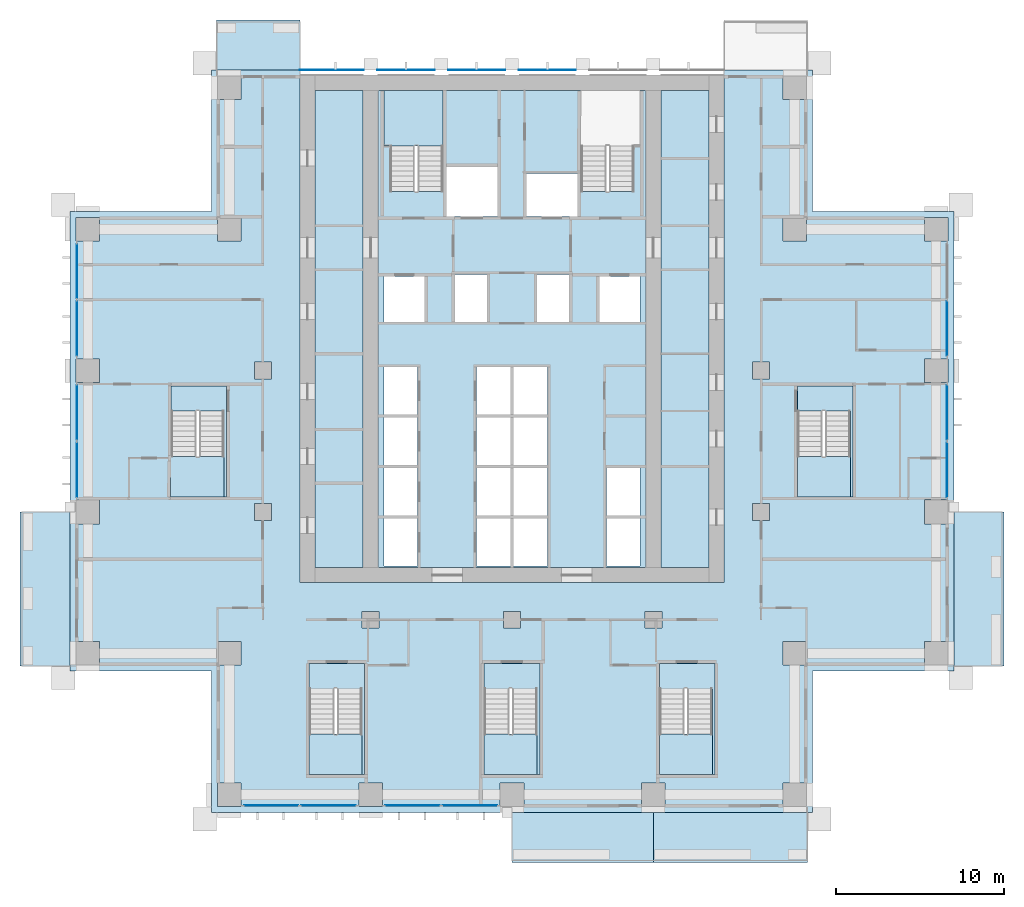
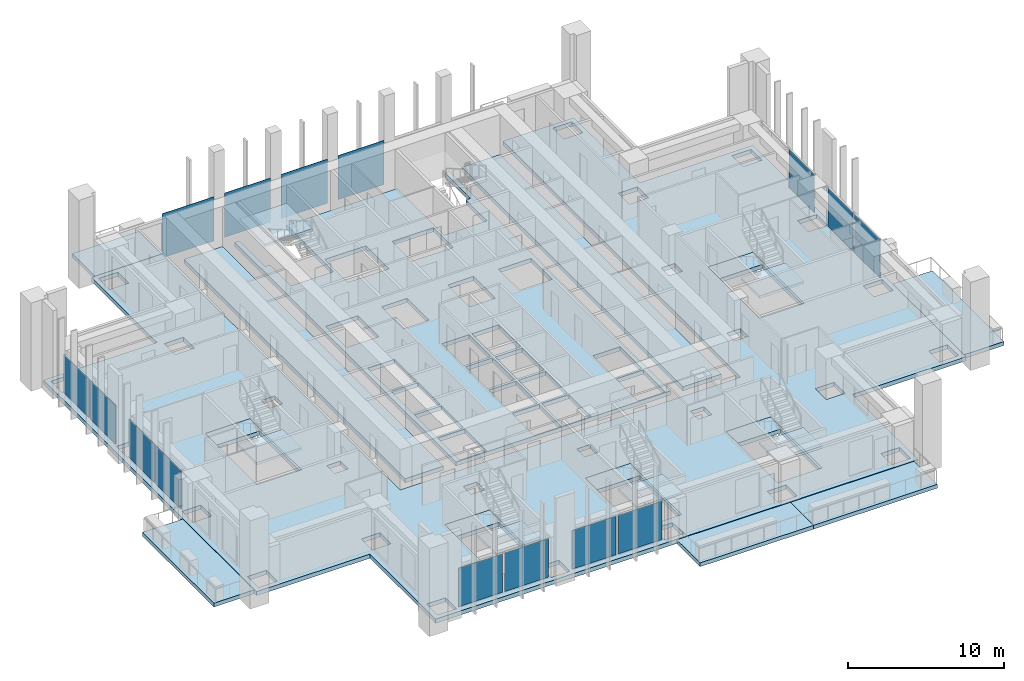
# One storey, part 7 of 19: 20 slabs, 15 plates, 12 elements without a shape of their own.
"""IFC4 building model written with IfcOpenShell, lengths in metres."""

from ifc_helpers import new_model, si_unit, direction, frame, origin, origin_2d, place, context, subcontext, project, spatial, polyline, rectangle, outline, extrude, material, layer, layer_set, type_object, element, aggregate, save


model = new_model("IFC4")

# Units and contexts
model_context = context("Model", 3, precision=1e-05, world=origin(), true_north=direction((0.0, 1.0)))
body_context = subcontext(model_context, "Body", "Model", "MODEL_VIEW")
ifc_project = project(units=[si_unit("LENGTHUNIT", "METRE"), si_unit("AREAUNIT", "SQUARE_METRE"), si_unit("VOLUMEUNIT", "CUBIC_METRE"), si_unit("PLANEANGLEUNIT", "RADIAN"), si_unit("MASSUNIT", "GRAM", prefix="KILO")], contexts=[model_context])

# Site, building, storey
site_placement = place(None, origin())
site = spatial("IfcSite", under=ifc_project, at=site_placement, CompositionType="ELEMENT")
building_placement = place(site_placement, origin())
building = spatial("IfcBuilding", under=site, at=building_placement, Name="Vermilion Ogive Tower", CompositionType="ELEMENT")
storey_placement = place(building_placement, frame((0.0, 0.0, 62.10009765625)))
storey = spatial("IfcBuildingStorey", under=building, at=storey_placement, Name="L14", CompositionType="ELEMENT", Elevation=62.10009765625)

# Slabs
ifc_material_1 = material(Name="Concrete B40", Category="concrete")
ifc_layer_1 = layer(ifc_material_1, 0.300048828125)
ifc_layer_set_1 = layer_set([ifc_layer_1], Name="Balcony slab")
slab_type_1 = type_object("IfcSlabType", Name="Balcony slab", PredefinedType="FLOOR", material=ifc_layer_set_1)
slab_1_placement = place(storey_placement, frame((0.0, 0.0, -0.340087890625)))
element("IfcSlab", 1, at=slab_1_placement, inside=storey, type_object=slab_type_1, Name="Balcony slab S03", PredefinedType="FLOOR", context=body_context, shape_type="SweptSolid", body=[
    extrude(outline(polyline([(0.0, -25.030029296875), (8.39990234375, -25.030029296875), (8.39990234375, -22.050048828125), (0.0, -22.050048828125), (0.0, -25.030029296875)])), origin(), (0.0, 0.0, 1.0), 0.300048828125),
])
slab_2_placement = place(storey_placement, frame((0.0, 0.0, -0.340087890625)))
element("IfcSlab", 2, at=slab_2_placement, inside=storey, type_object=slab_type_1, Name="Balcony slab S04", PredefinedType="FLOOR", context=body_context, shape_type="SweptSolid", body=[
    extrude(outline(polyline([(8.39990234375, -25.030029296875), (17.550048828125, -25.030029296875), (17.550048828125, -22.050048828125), (8.39990234375, -22.050048828125), (8.39990234375, -25.030029296875)])), origin(), (0.0, 0.0, 1.0), 0.300048828125),
])
slab_3_placement = place(storey_placement, frame((0.0, 0.0, -0.340087890625)))
element("IfcSlab", 3, at=slab_3_placement, inside=storey, type_object=slab_type_1, Name="Balcony slab E01", PredefinedType="FLOOR", context=body_context, shape_type="SweptSolid", body=[
    extrude(outline(polyline([(29.22998046875, -13.35009765625), (29.22998046875, -4.199951171875), (26.25, -4.199951171875), (26.25, -13.35009765625), (29.22998046875, -13.35009765625)])), origin(), (0.0, 0.0, 1.0), 0.300048828125),
])
slab_4_placement = place(storey_placement, frame((0.0, 0.0, -0.340087890625)))
element("IfcSlab", 4, at=slab_4_placement, inside=storey, type_object=slab_type_1, Name="Balcony slab N201", PredefinedType="FLOOR", context=body_context, shape_type="SweptSolid", body=[
    extrude(outline(polyline([(-12.60009765625, 25.030029296875), (-17.550048828125, 25.030029296875), (-17.550048828125, 22.050048828125), (-12.60009765625, 22.050048828125), (-12.60009765625, 25.030029296875)])), origin(), (0.0, 0.0, 1.0), 0.300048828125),
])
slab_5_placement = place(storey_placement, frame((0.0, 0.0, -0.340087890625)))
element("IfcSlab", 5, at=slab_5_placement, inside=storey, type_object=slab_type_1, Name="Balcony slab W03", PredefinedType="FLOOR", context=body_context, shape_type="SweptSolid", body=[
    extrude(outline(polyline([(-29.22998046875, -4.199951171875), (-29.22998046875, -13.35009765625), (-26.25, -13.35009765625), (-26.25, -4.199951171875), (-29.22998046875, -4.199951171875)])), origin(), (0.0, 0.0, 1.0), 0.300048828125),
])

# Curtain wall, plates
ifc_material_2 = material(Name="Low-iron laminated glazing in aluminium frame", Category="aluminium")
curtain_wall_type = type_object("IfcCurtainWallType", Name="Curtain wall CW7", PredefinedType="NOTDEFINED", material=ifc_material_2)
curtain_wall_1_placement = place(storey_placement, origin())
curtain_wall_1 = element("IfcCurtainWall", 6, at=curtain_wall_1_placement, inside=storey, type_object=curtain_wall_type, Name="Glazed skin S1", PredefinedType="NOTDEFINED")
ifc_material_3 = material(Name="Low-iron laminated glazing in aluminium frame", Category="aluminium")
ifc_layer_2 = layer(ifc_material_3, 0.031982421875)
ifc_layer_set_2 = layer_set([ifc_layer_2], Name="CW7 glazing panel 32")
plate_type_1 = type_object("IfcPlateType", Name="CW7 glazing panel 32", PredefinedType="CURTAIN_PANEL", material=ifc_layer_set_2)
plate_1_placement = place(storey_placement, frame((-14.304931640625, -21.64990234375, 0.06005859375), z_axis=(0.0, 0.0, 1.0), x_axis=(1.0, 0.0, 0.0)))
plate_1 = element("IfcPlate", 7, at=plate_1_placement, type_object=plate_type_1, Name="CW7-S1 panel 1.1", PredefinedType="CURTAIN_PANEL", context=body_context, shape_type="SweptSolid", body=[
    extrude(rectangle(XDim=3.22998046875, YDim=0.031982421875, at=origin_2d()), origin(), (0.0, 0.0, 1.0), 3.010009765625),
])
plate_2_placement = place(storey_placement, frame((-10.89501953125, -21.64990234375, 0.06005859375), z_axis=(0.0, 0.0, 1.0), x_axis=(1.0, 0.0, 0.0)))
plate_2 = element("IfcPlate", 8, at=plate_2_placement, type_object=plate_type_1, Name="CW7-S1 panel 2.1", PredefinedType="CURTAIN_PANEL", context=body_context, shape_type="SweptSolid", body=[
    extrude(rectangle(XDim=3.22998046875, YDim=0.031982421875, at=origin_2d()), origin(), (0.0, 0.0, 1.0), 3.010009765625),
])
aggregate(curtain_wall_1, [plate_1, plate_2])

curtain_wall_2_placement = place(storey_placement, origin())
curtain_wall_2 = element("IfcCurtainWall", 9, at=curtain_wall_2_placement, inside=storey, type_object=curtain_wall_type, Name="Glazed skin S2", PredefinedType="NOTDEFINED")
plate_3_placement = place(storey_placement, frame((-5.905029296875, -21.64990234375, 0.06005859375), z_axis=(0.0, 0.0, 1.0), x_axis=(1.0, 0.0, 0.0)))
plate_3 = element("IfcPlate", 10, at=plate_3_placement, type_object=plate_type_1, Name="CW7-S2 panel 1.1", PredefinedType="CURTAIN_PANEL", context=body_context, shape_type="SweptSolid", body=[
    extrude(rectangle(XDim=3.22998046875, YDim=0.031982421875, at=origin_2d()), origin(), (0.0, 0.0, 1.0), 3.010009765625),
])
plate_4_placement = place(storey_placement, frame((-2.4951171875, -21.64990234375, 0.06005859375), z_axis=(0.0, 0.0, 1.0), x_axis=(1.0, 0.0, 0.0)))
plate_4 = element("IfcPlate", 11, at=plate_4_placement, type_object=plate_type_1, Name="CW7-S2 panel 2.1", PredefinedType="CURTAIN_PANEL", context=body_context, shape_type="SweptSolid", body=[
    extrude(rectangle(XDim=3.22998046875, YDim=0.031982421875, at=origin_2d()), origin(), (0.0, 0.0, 1.0), 3.010009765625),
])
aggregate(curtain_wall_2, [plate_3, plate_4])

curtain_wall_3_placement = place(storey_placement, origin())
curtain_wall_3 = element("IfcCurtainWall", 12, at=curtain_wall_3_placement, inside=storey, type_object=curtain_wall_type, Name="Glazed skin E2", PredefinedType="NOTDEFINED")
plate_5_placement = place(storey_placement, frame((25.85009765625, -1.705078125, 0.06005859375), z_axis=(0.0, 0.0, 1.0), x_axis=(0.0, 1.0, 0.0)))
plate_5 = element("IfcPlate", 13, at=plate_5_placement, type_object=plate_type_1, Name="CW7-E2 panel 1.1", PredefinedType="CURTAIN_PANEL", context=body_context, shape_type="SweptSolid", body=[
    extrude(rectangle(XDim=3.22998046875, YDim=0.031982421875, at=origin_2d()), origin(), (0.0, 0.0, 1.0), 3.010009765625),
])
plate_6_placement = place(storey_placement, frame((25.85009765625, 1.705078125, 0.06005859375), z_axis=(0.0, 0.0, 1.0), x_axis=(0.0, 1.0, 0.0)))
plate_6 = element("IfcPlate", 14, at=plate_6_placement, type_object=plate_type_1, Name="CW7-E2 panel 2.1", PredefinedType="CURTAIN_PANEL", context=body_context, shape_type="SweptSolid", body=[
    extrude(rectangle(XDim=3.22998046875, YDim=0.031982421875, at=origin_2d()), origin(), (0.0, 0.0, 1.0), 3.010009765625),
])
aggregate(curtain_wall_3, [plate_5, plate_6])

# Curtain wall, plate
curtain_wall_4_placement = place(storey_placement, origin())
curtain_wall_4 = element("IfcCurtainWall", 15, at=curtain_wall_4_placement, inside=storey, type_object=curtain_wall_type, Name="Glazed skin E3", PredefinedType="NOTDEFINED")
plate_7_placement = place(storey_placement, frame((25.85009765625, 6.695068359375, 0.06005859375), z_axis=(0.0, 0.0, 1.0), x_axis=(0.0, 1.0, 0.0)))
plate_7 = element("IfcPlate", 16, at=plate_7_placement, type_object=plate_type_1, Name="CW7-E3 panel 1.1", PredefinedType="CURTAIN_PANEL", context=body_context, shape_type="SweptSolid", body=[
    extrude(rectangle(XDim=3.22998046875, YDim=0.031982421875, at=origin_2d()), origin(), (0.0, 0.0, 1.0), 3.010009765625),
])
aggregate(curtain_wall_4, [plate_7])

# Curtain wall, plates
curtain_wall_5_placement = place(storey_placement, origin())
curtain_wall_5 = element("IfcCurtainWall", 17, at=curtain_wall_5_placement, inside=storey, type_object=curtain_wall_type, Name="Glazed skin W1", PredefinedType="NOTDEFINED")
plate_8_placement = place(storey_placement, frame((-25.85009765625, 10.10498046875, 0.06005859375), z_axis=(0.0, 0.0, 1.0), x_axis=(0.0, -1.0, 0.0)))
plate_8 = element("IfcPlate", 18, at=plate_8_placement, type_object=plate_type_1, Name="CW7-W1 panel 1.1", PredefinedType="CURTAIN_PANEL", context=body_context, shape_type="SweptSolid", body=[
    extrude(rectangle(XDim=3.22998046875, YDim=0.031982421875, at=origin_2d()), origin(), (0.0, 0.0, 1.0), 3.010009765625),
])
plate_9_placement = place(storey_placement, frame((-25.85009765625, 6.695068359375, 0.06005859375), z_axis=(0.0, 0.0, 1.0), x_axis=(0.0, -1.0, 0.0)))
plate_9 = element("IfcPlate", 19, at=plate_9_placement, type_object=plate_type_1, Name="CW7-W1 panel 2.1", PredefinedType="CURTAIN_PANEL", context=body_context, shape_type="SweptSolid", body=[
    extrude(rectangle(XDim=3.22998046875, YDim=0.031982421875, at=origin_2d()), origin(), (0.0, 0.0, 1.0), 3.010009765625),
])
aggregate(curtain_wall_5, [plate_8, plate_9])

curtain_wall_6_placement = place(storey_placement, origin())
curtain_wall_6 = element("IfcCurtainWall", 20, at=curtain_wall_6_placement, inside=storey, type_object=curtain_wall_type, Name="Glazed skin W2", PredefinedType="NOTDEFINED")
plate_10_placement = place(storey_placement, frame((-25.85009765625, 1.705078125, 0.06005859375), z_axis=(0.0, 0.0, 1.0), x_axis=(0.0, -1.0, 0.0)))
plate_10 = element("IfcPlate", 21, at=plate_10_placement, type_object=plate_type_1, Name="CW7-W2 panel 1.1", PredefinedType="CURTAIN_PANEL", context=body_context, shape_type="SweptSolid", body=[
    extrude(rectangle(XDim=3.22998046875, YDim=0.031982421875, at=origin_2d()), origin(), (0.0, 0.0, 1.0), 3.010009765625),
])
plate_11_placement = place(storey_placement, frame((-25.85009765625, -1.705078125, 0.06005859375), z_axis=(0.0, 0.0, 1.0), x_axis=(0.0, -1.0, 0.0)))
plate_11 = element("IfcPlate", 22, at=plate_11_placement, type_object=plate_type_1, Name="CW7-W2 panel 2.1", PredefinedType="CURTAIN_PANEL", context=body_context, shape_type="SweptSolid", body=[
    extrude(rectangle(XDim=3.22998046875, YDim=0.031982421875, at=origin_2d()), origin(), (0.0, 0.0, 1.0), 3.010009765625),
])
aggregate(curtain_wall_6, [plate_10, plate_11])

# Slabs
ifc_material_4 = material(Name="Concrete B40", Category="concrete")
ifc_layer_3 = layer(ifc_material_4, 0.320068359375)
ifc_layer_set_3 = layer_set([ifc_layer_3], Name="Core floor slab 320 B40")
slab_type_2 = type_object("IfcSlabType", Name="Core floor slab 320 B40", PredefinedType="FLOOR", material=ifc_layer_set_3)
slab_6_placement = place(storey_placement, frame((0.0, 0.0, -0.320068359375)))
element("IfcSlab", 23, at=slab_6_placement, inside=storey, type_object=slab_type_2, Name="L14-CK-FS1", PredefinedType="FLOOR", context=body_context, shape_type="SweptSolid", body=[
    extrude(outline(polyline([(-8.85400390625, -7.49609375), (-11.696044921875, -7.49609375), (-11.696044921875, 20.845947265625), (-8.85400390625, 20.845947265625), (-8.85400390625, -7.49609375)])), origin(), (0.0, 0.0, 1.0), 0.320068359375),
])
slab_7_placement = place(storey_placement, frame((0.0, 0.0, -0.320068359375)))
element("IfcSlab", 24, at=slab_7_placement, inside=storey, type_object=slab_type_2, Name="L14-CK-FS2", PredefinedType="FLOOR", context=body_context, shape_type="SweptSolid", body=[
    extrude(outline(polyline([(5.75, 14.85009765625), (5.60009765625, 14.85009765625), (5.60009765625, 14.85205078125), (4.10009765625, 14.85205078125), (4.10009765625, 17.550048828125), (4.074951171875, 17.550048828125), (4.074951171875, 20.845947265625), (-4.10009765625, 20.845947265625), (-4.10009765625, 14.85205078125), (-5.60009765625, 14.85205078125), (-5.60009765625, 14.85009765625), (-5.75, 14.85009765625), (-5.75, 14.85205078125), (-7.25, 14.85205078125), (-7.25, 17.550048828125), (-7.60009765625, 17.550048828125), (-7.60009765625, 20.845947265625), (-7.946044921875, 20.845947265625), (-7.946044921875, -7.49609375), (7.946044921875, -7.49609375), (7.946044921875, 20.845947265625), (7.60009765625, 20.845947265625), (7.60009765625, 17.550048828125), (7.25, 17.550048828125), (7.25, 14.85205078125), (5.75, 14.85205078125), (5.75, 14.85009765625)]), holes=[polyline([(-7.60009765625, -4.60009765625), (-5.60009765625, -4.60009765625), (-5.60009765625, -7.39990234375), (-7.60009765625, -7.39990234375), (-7.60009765625, -4.60009765625)]), polyline([(-2.10009765625, -4.60009765625), (-0.10009765625, -4.60009765625), (-0.10009765625, -7.39990234375), (-2.10009765625, -7.39990234375), (-2.10009765625, -4.60009765625)]), polyline([(-7.60009765625, -4.39990234375), (-7.60009765625, -1.60009765625), (-5.60009765625, -1.60009765625), (-5.60009765625, -4.39990234375), (-7.60009765625, -4.39990234375)]), polyline([(-2.10009765625, -1.60009765625), (-0.10009765625, -1.60009765625), (-0.10009765625, -4.39990234375), (-2.10009765625, -4.39990234375), (-2.10009765625, -1.60009765625)]), polyline([(-7.60009765625, -1.39990234375), (-7.60009765625, 1.39990234375), (-5.60009765625, 1.39990234375), (-5.60009765625, -1.39990234375), (-7.60009765625, -1.39990234375)]), polyline([(-2.10009765625, 1.39990234375), (-0.10009765625, 1.39990234375), (-0.10009765625, -1.39990234375), (-2.10009765625, -1.39990234375), (-2.10009765625, 1.39990234375)]), polyline([(-7.60009765625, 4.39990234375), (-5.60009765625, 4.39990234375), (-5.60009765625, 1.60009765625), (-7.60009765625, 1.60009765625), (-7.60009765625, 4.39990234375)]), polyline([(-2.10009765625, 4.39990234375), (-0.10009765625, 4.39990234375), (-0.10009765625, 1.60009765625), (-2.10009765625, 1.60009765625), (-2.10009765625, 4.39990234375)]), polyline([(-7.60009765625, 9.800048828125), (-5.199951171875, 9.800048828125), (-5.199951171875, 7.10009765625), (-7.60009765625, 7.10009765625), (-7.60009765625, 9.800048828125)]), polyline([(-3.39990234375, 9.89990234375), (-1.5, 9.89990234375), (-1.5, 7.10009765625), (-3.39990234375, 7.10009765625), (-3.39990234375, 9.89990234375)]), polyline([(-3.89990234375, 16.300048828125), (-0.85009765625, 16.300048828125), (-0.85009765625, 13.35009765625), (-3.89990234375, 13.35009765625), (-3.89990234375, 16.300048828125)]), polyline([(0.10009765625, -4.60009765625), (2.10009765625, -4.60009765625), (2.10009765625, -7.39990234375), (0.10009765625, -7.39990234375), (0.10009765625, -4.60009765625)]), polyline([(5.60009765625, -4.60009765625), (7.60009765625, -4.60009765625), (7.60009765625, -7.39990234375), (5.60009765625, -7.39990234375), (5.60009765625, -4.60009765625)]), polyline([(0.10009765625, -1.60009765625), (2.10009765625, -1.60009765625), (2.10009765625, -4.39990234375), (0.10009765625, -4.39990234375), (0.10009765625, -1.60009765625)]), polyline([(5.60009765625, -1.60009765625), (7.60009765625, -1.60009765625), (7.60009765625, -4.39990234375), (5.60009765625, -4.39990234375), (5.60009765625, -1.60009765625)]), polyline([(0.10009765625, 1.39990234375), (2.10009765625, 1.39990234375), (2.10009765625, -1.39990234375), (0.10009765625, -1.39990234375), (0.10009765625, 1.39990234375)]), polyline([(0.10009765625, 4.39990234375), (2.10009765625, 4.39990234375), (2.10009765625, 1.60009765625), (0.10009765625, 1.60009765625), (0.10009765625, 4.39990234375)]), polyline([(5.199951171875, 9.800048828125), (7.60009765625, 9.800048828125), (7.60009765625, 7.10009765625), (5.199951171875, 7.10009765625), (5.199951171875, 9.800048828125)]), polyline([(1.5, 9.89990234375), (3.39990234375, 9.89990234375), (3.39990234375, 7.10009765625), (1.5, 7.10009765625), (1.5, 9.89990234375)]), polyline([(0.85009765625, 15.89990234375), (3.89990234375, 15.89990234375), (3.89990234375, 13.35009765625), (0.85009765625, 13.35009765625), (0.85009765625, 15.89990234375)])]), origin(), (0.0, 0.0, 1.0), 0.320068359375),
])
slab_8_placement = place(storey_placement, frame((0.0, 0.0, -0.320068359375)))
element("IfcSlab", 25, at=slab_8_placement, inside=storey, type_object=slab_type_2, Name="L14-CK-FS3", PredefinedType="FLOOR", context=body_context, shape_type="SweptSolid", body=[
    extrude(outline(polyline([(8.85400390625, 20.845947265625), (11.696044921875, 20.845947265625), (11.696044921875, -7.49609375), (8.85400390625, -7.49609375), (8.85400390625, 20.845947265625)])), origin(), (0.0, 0.0, 1.0), 0.320068359375),
])
slab_9_placement = place(storey_placement, frame((0.0, 0.0, -0.320068359375)))
element("IfcSlab", 26, at=slab_9_placement, inside=storey, type_object=slab_type_2, Name="L14-SF-ST3-1", PredefinedType="FLOOR", context=body_context, shape_type="SweptSolid", body=[
    extrude(outline(polyline([(-12.050048828125, -13.199951171875), (-12.050048828125, -14.701904296875), (-10.550048828125, -14.701904296875), (-10.550048828125, -14.699951171875), (-10.39990234375, -14.699951171875), (-10.39990234375, -14.701904296875), (-8.89990234375, -14.701904296875), (-8.89990234375, -19.800048828125), (-8.75, -19.800048828125), (-8.75, -13.199951171875), (-12.050048828125, -13.199951171875)])), origin(), (0.0, 0.0, 1.0), 0.320068359375),
])
slab_10_placement = place(storey_placement, frame((0.0, 0.0, -0.320068359375)))
element("IfcSlab", 27, at=slab_10_placement, inside=storey, type_object=slab_type_2, Name="L14-SF-ST4-1", PredefinedType="FLOOR", context=body_context, shape_type="SweptSolid", body=[
    extrude(outline(polyline([(-1.64990234375, -13.199951171875), (-1.64990234375, -14.701904296875), (-0.14990234375, -14.701904296875), (-0.14990234375, -14.699951171875), (0.0, -14.699951171875), (0.0, -14.701904296875), (1.5, -14.701904296875), (1.5, -19.800048828125), (1.64990234375, -19.800048828125), (1.64990234375, -13.199951171875), (-1.64990234375, -13.199951171875)])), origin(), (0.0, 0.0, 1.0), 0.320068359375),
])
slab_11_placement = place(storey_placement, frame((0.0, 0.0, -0.320068359375)))
element("IfcSlab", 28, at=slab_11_placement, inside=storey, type_object=slab_type_2, Name="L14-SF-ST5-1", PredefinedType="FLOOR", context=body_context, shape_type="SweptSolid", body=[
    extrude(outline(polyline([(8.75, -13.199951171875), (8.75, -14.701904296875), (10.25, -14.701904296875), (10.25, -14.699951171875), (10.39990234375, -14.699951171875), (10.39990234375, -14.701904296875), (11.89990234375, -14.701904296875), (11.89990234375, -19.800048828125), (12.050048828125, -19.800048828125), (12.050048828125, -13.199951171875), (8.75, -13.199951171875)])), origin(), (0.0, 0.0, 1.0), 0.320068359375),
])
slab_12_placement = place(storey_placement, frame((0.0, 0.0, -0.320068359375)))
element("IfcSlab", 29, at=slab_12_placement, inside=storey, type_object=slab_type_2, Name="L14-SF-ST8-1", PredefinedType="FLOOR", context=body_context, shape_type="SweptSolid", body=[
    extrude(outline(polyline([(16.949951171875, 3.300048828125), (16.949951171875, 1.798095703125), (18.449951171875, 1.798095703125), (18.449951171875, 1.800048828125), (18.60009765625, 1.800048828125), (18.60009765625, 1.798095703125), (20.10009765625, 1.798095703125), (20.10009765625, -3.300048828125), (20.25, -3.300048828125), (20.25, 3.300048828125), (16.949951171875, 3.300048828125)])), origin(), (0.0, 0.0, 1.0), 0.320068359375),
])
slab_13_placement = place(storey_placement, frame((0.0, 0.0, -0.320068359375)))
element("IfcSlab", 30, at=slab_13_placement, inside=storey, type_object=slab_type_2, Name="L14-SF-ST9-1", PredefinedType="FLOOR", context=body_context, shape_type="SweptSolid", body=[
    extrude(outline(polyline([(-20.25, 3.300048828125), (-20.25, 1.798095703125), (-18.75, 1.798095703125), (-18.75, 1.800048828125), (-18.60009765625, 1.800048828125), (-18.60009765625, 1.798095703125), (-17.10009765625, 1.798095703125), (-17.10009765625, -3.300048828125), (-16.949951171875, -3.300048828125), (-16.949951171875, 3.300048828125), (-20.25, 3.300048828125)])), origin(), (0.0, 0.0, 1.0), 0.320068359375),
])

# Plates
ifc_material_5 = material(Name="Low-iron laminated glazing in aluminium frame", Category="aluminium")
ifc_layer_4 = layer(ifc_material_5, 0.031982421875)
ifc_layer_set_4 = layer_set([ifc_layer_4], Name="Glazed rainscreen sheet 32")
plate_type_2 = type_object("IfcPlateType", Name="Glazed rainscreen sheet 32", PredefinedType="SHEET", material=ifc_layer_set_4)
plate_12_placement = place(storey_placement, frame((-10.7099609375, 22.06591796875, -0.3203125), z_axis=(0.0, 0.0, 1.0), x_axis=(1.0, 0.0, 0.0)))
element("IfcPlate", 31, at=plate_12_placement, inside=storey, type_object=plate_type_2, Name="Glazed rainscreen sheet N1", PredefinedType="SHEET", context=body_context, shape_type="SweptSolid", body=[
    extrude(rectangle(XDim=3.820068359375, YDim=0.031982421875, at=origin_2d()), origin(), (0.0, 0.0, 1.0), 3.449951171875),
])
for number, where, z_axis, x_axis, name in (
    (32, (-6.300048828125, 22.06591796875, -0.3203125), (0.0, 0.0, 1.0), (1.0, 0.0, 0.0), "Glazed rainscreen sheet N2"),
    (33, (-2.10009765625, 22.06591796875, -0.3203125), (0.0, 0.0, 1.0), (1.0, 0.0, 0.0), "Glazed rainscreen sheet N3"),
    (34, (2.10009765625, 22.06591796875, -0.3203125), (0.0, 0.0, 1.0), (1.0, 0.0, 0.0), "Glazed rainscreen sheet N4"),
):
    element("IfcPlate", number, at=place(storey_placement, frame(where, z_axis=z_axis, x_axis=x_axis)), inside=storey, type_object=plate_type_2, Name=name, PredefinedType="SHEET", context=body_context, shape_type="SweptSolid", body=[
        extrude(rectangle(XDim=3.39990234375, YDim=0.031982421875, at=origin_2d()), origin(), (0.0, 0.0, 1.0), 3.449951171875),
    ])

# Slab
ifc_material_6 = material(Name="Concrete B45", Category="concrete")
ifc_layer_5 = layer(ifc_material_6, 0.320068359375)
ifc_layer_set_5 = layer_set([ifc_layer_5], Name="Post-tensioned flat plate 320 B45")
slab_type_3 = type_object("IfcSlabType", Name="Post-tensioned flat plate 320 B45", PredefinedType="FLOOR", material=ifc_layer_set_5)
slab_14_placement = place(storey_placement, frame((0.0, 0.0, -0.320068359375)))
element("IfcSlab", 35, at=slab_14_placement, inside=storey, type_object=slab_type_3, Name="L14-SL-1", PredefinedType="FLOOR", context=body_context, shape_type="SweptSolid", body=[
    extrude(outline(polyline([(-17.85009765625, -13.64990234375), (-26.25, -13.64990234375), (-26.25, 13.64990234375), (-17.85009765625, 13.64990234375), (-17.85009765625, 22.050048828125), (-12.60009765625, 22.050048828125), (-12.60009765625, -8.39990234375), (12.60009765625, -8.39990234375), (12.60009765625, 22.050048828125), (17.85009765625, 22.050048828125), (17.85009765625, 13.64990234375), (26.25, 13.64990234375), (26.25, -13.64990234375), (17.85009765625, -13.64990234375), (17.85009765625, -22.050048828125), (-17.85009765625, -22.050048828125), (-17.85009765625, -13.64990234375)]), holes=[polyline([(25.89990234375, -4.89990234375), (25.89990234375, -3.5), (24.5, -3.5), (24.5, -4.89990234375), (25.89990234375, -4.89990234375)]), polyline([(25.89990234375, -13.300048828125), (25.89990234375, -11.89990234375), (24.5, -11.89990234375), (24.5, -13.300048828125), (25.89990234375, -13.300048828125)]), polyline([(24.5, 11.89990234375), (25.89990234375, 11.89990234375), (25.89990234375, 13.300048828125), (24.5, 13.300048828125), (24.5, 11.89990234375)]), polyline([(24.5, 3.5), (25.89990234375, 3.5), (25.89990234375, 4.89990234375), (24.5, 4.89990234375), (24.5, 3.5)]), polyline([(20.25, -3.300048828125), (20.25, 3.300048828125), (16.949951171875, 3.300048828125), (16.949951171875, -3.300048828125), (20.25, -3.300048828125)]), polyline([(17.5, -13.300048828125), (17.5, -11.89990234375), (16.10009765625, -11.89990234375), (16.10009765625, -13.300048828125), (17.5, -13.300048828125)]), polyline([(16.10009765625, 20.300048828125), (17.5, 20.300048828125), (17.5, 21.699951171875), (16.10009765625, 21.699951171875), (16.10009765625, 20.300048828125)]), polyline([(17.5, -21.699951171875), (17.5, -20.300048828125), (16.10009765625, -20.300048828125), (16.10009765625, -21.699951171875), (17.5, -21.699951171875)]), polyline([(17.5, 11.89990234375), (17.5, 13.300048828125), (16.10009765625, 13.300048828125), (16.10009765625, 11.89990234375), (17.5, 11.89990234375)]), polyline([(15.300048828125, 3.699951171875), (15.300048828125, 4.699951171875), (14.300048828125, 4.699951171875), (14.300048828125, 3.699951171875), (15.300048828125, 3.699951171875)]), polyline([(14.300048828125, -4.699951171875), (15.300048828125, -4.699951171875), (15.300048828125, -3.699951171875), (14.300048828125, -3.699951171875), (14.300048828125, -4.699951171875)]), polyline([(12.050048828125, -19.800048828125), (12.050048828125, -13.199951171875), (8.75, -13.199951171875), (8.75, -19.800048828125), (12.050048828125, -19.800048828125)]), polyline([(9.10009765625, -21.699951171875), (9.10009765625, -20.300048828125), (7.699951171875, -20.300048828125), (7.699951171875, -21.699951171875), (9.10009765625, -21.699951171875)]), polyline([(7.89990234375, -11.10009765625), (8.89990234375, -11.10009765625), (8.89990234375, -10.10009765625), (7.89990234375, -10.10009765625), (7.89990234375, -11.10009765625)]), polyline([(1.64990234375, -19.800048828125), (1.64990234375, -13.199951171875), (-1.64990234375, -13.199951171875), (-1.64990234375, -19.800048828125), (1.64990234375, -19.800048828125)]), polyline([(0.699951171875, -21.699951171875), (0.699951171875, -20.300048828125), (-0.699951171875, -20.300048828125), (-0.699951171875, -21.699951171875), (0.699951171875, -21.699951171875)]), polyline([(0.5, -11.10009765625), (0.5, -10.10009765625), (-0.5, -10.10009765625), (-0.5, -11.10009765625), (0.5, -11.10009765625)]), polyline([(-7.699951171875, -21.699951171875), (-7.699951171875, -20.300048828125), (-9.10009765625, -20.300048828125), (-9.10009765625, -21.699951171875), (-7.699951171875, -21.699951171875)]), polyline([(-7.89990234375, -11.10009765625), (-7.89990234375, -10.10009765625), (-8.89990234375, -10.10009765625), (-8.89990234375, -11.10009765625), (-7.89990234375, -11.10009765625)]), polyline([(-8.75, -19.800048828125), (-8.75, -13.199951171875), (-12.050048828125, -13.199951171875), (-12.050048828125, -19.800048828125), (-8.75, -19.800048828125)]), polyline([(-14.300048828125, 3.699951171875), (-14.300048828125, 4.699951171875), (-15.300048828125, 4.699951171875), (-15.300048828125, 3.699951171875), (-14.300048828125, 3.699951171875)]), polyline([(-15.300048828125, -4.699951171875), (-14.300048828125, -4.699951171875), (-14.300048828125, -3.699951171875), (-15.300048828125, -3.699951171875), (-15.300048828125, -4.699951171875)]), polyline([(-16.10009765625, 11.89990234375), (-16.10009765625, 13.300048828125), (-17.5, 13.300048828125), (-17.5, 11.89990234375), (-16.10009765625, 11.89990234375)]), polyline([(-16.10009765625, -13.300048828125), (-16.10009765625, -11.89990234375), (-17.5, -11.89990234375), (-17.5, -13.300048828125), (-16.10009765625, -13.300048828125)]), polyline([(-16.10009765625, -21.699951171875), (-16.10009765625, -20.300048828125), (-17.5, -20.300048828125), (-17.5, -21.699951171875), (-16.10009765625, -21.699951171875)]), polyline([(-17.5, 20.300048828125), (-16.10009765625, 20.300048828125), (-16.10009765625, 21.699951171875), (-17.5, 21.699951171875), (-17.5, 20.300048828125)]), polyline([(-16.949951171875, -3.300048828125), (-16.949951171875, 3.300048828125), (-20.25, 3.300048828125), (-20.25, -3.300048828125), (-16.949951171875, -3.300048828125)]), polyline([(-25.89990234375, 3.5), (-24.5, 3.5), (-24.5, 4.89990234375), (-25.89990234375, 4.89990234375), (-25.89990234375, 3.5)]), polyline([(-24.5, 11.89990234375), (-24.5, 13.300048828125), (-25.89990234375, 13.300048828125), (-25.89990234375, 11.89990234375), (-24.5, 11.89990234375)]), polyline([(-24.5, -4.89990234375), (-24.5, -3.5), (-25.89990234375, -3.5), (-25.89990234375, -4.89990234375), (-24.5, -4.89990234375)]), polyline([(-24.5, -13.300048828125), (-24.5, -11.89990234375), (-25.89990234375, -11.89990234375), (-25.89990234375, -13.300048828125), (-24.5, -13.300048828125)])]), origin(), (0.0, 0.0, 1.0), 0.320068359375),
])

# Stair, slab
ifc_material_7 = material(Name="Concrete B40", Category="concrete")
stair_type = type_object("IfcStairType", Name="Exit stair 1500", PredefinedType="HALF_TURN_STAIR", material=ifc_material_7)
stair_1_placement = place(storey_placement, origin())
stair_1 = element("IfcStair", 36, at=stair_1_placement, inside=storey, type_object=stair_type, Name="L14 Exit Stair ST1", PredefinedType="HALF_TURN_STAIR")
ifc_material_8 = material(Name="Concrete B40", Category="concrete")
ifc_layer_6 = layer(ifc_material_8, 0.199951171875)
ifc_layer_set_6 = layer_set([ifc_layer_6], Name="Stair landing 200")
slab_type_4 = type_object("IfcSlabType", Name="Stair landing 200", PredefinedType="LANDING", material=ifc_layer_set_6)
slab_15_placement = place(storey_placement, frame((0.0, 0.0, 1.52490234375)))
slab_15 = element("IfcSlab", 37, at=slab_15_placement, type_object=slab_type_4, Name="ST1 landing 1", PredefinedType="LANDING", context=body_context, shape_type="SweptSolid", body=[
    extrude(outline(polyline([(-7.60009765625, 17.550048828125), (-7.25, 17.550048828125), (-7.25, 17.548095703125), (-5.75, 17.548095703125), (-5.75, 17.550048828125), (-5.60009765625, 17.550048828125), (-5.60009765625, 17.548095703125), (-4.10009765625, 17.548095703125), (-4.10009765625, 20.85009765625), (-7.60009765625, 20.85009765625), (-7.60009765625, 17.550048828125)])), origin(), (0.0, 0.0, 1.0), 0.199951171875),
])
aggregate(stair_1, [slab_15])

stair_2_placement = place(storey_placement, origin())
stair_2 = element("IfcStair", 38, at=stair_2_placement, inside=storey, type_object=stair_type, Name="L14 Exit Stair ST3", PredefinedType="HALF_TURN_STAIR")
slab_16_placement = place(storey_placement, frame((0.0, 0.0, 1.52490234375)))
slab_16 = element("IfcSlab", 39, at=slab_16_placement, type_object=slab_type_4, Name="ST3 landing 1", PredefinedType="LANDING", context=body_context, shape_type="SweptSolid", body=[
    extrude(outline(polyline([(-8.75, -17.39990234375), (-8.89990234375, -17.39990234375), (-8.89990234375, -17.39794921875), (-10.39990234375, -17.39794921875), (-10.39990234375, -17.39990234375), (-10.550048828125, -17.39990234375), (-10.550048828125, -17.39794921875), (-12.050048828125, -17.39794921875), (-12.050048828125, -19.800048828125), (-8.75, -19.800048828125), (-8.75, -17.39990234375)])), origin(), (0.0, 0.0, 1.0), 0.199951171875),
])
aggregate(stair_2, [slab_16])

stair_3_placement = place(storey_placement, origin())
stair_3 = element("IfcStair", 40, at=stair_3_placement, inside=storey, type_object=stair_type, Name="L14 Exit Stair ST4", PredefinedType="HALF_TURN_STAIR")
slab_17_placement = place(storey_placement, frame((0.0, 0.0, 1.52490234375)))
slab_17 = element("IfcSlab", 41, at=slab_17_placement, type_object=slab_type_4, Name="ST4 landing 1", PredefinedType="LANDING", context=body_context, shape_type="SweptSolid", body=[
    extrude(outline(polyline([(1.64990234375, -17.39990234375), (1.5, -17.39990234375), (1.5, -17.39794921875), (0.0, -17.39794921875), (0.0, -17.39990234375), (-0.14990234375, -17.39990234375), (-0.14990234375, -17.39794921875), (-1.64990234375, -17.39794921875), (-1.64990234375, -19.7998046875), (1.64990234375, -19.7998046875), (1.64990234375, -17.39990234375)])), origin(), (0.0, 0.0, 1.0), 0.199951171875),
])
aggregate(stair_3, [slab_17])

stair_4_placement = place(storey_placement, origin())
stair_4 = element("IfcStair", 42, at=stair_4_placement, inside=storey, type_object=stair_type, Name="L14 Exit Stair ST5", PredefinedType="HALF_TURN_STAIR")
slab_18_placement = place(storey_placement, frame((0.0, 0.0, 1.52490234375)))
slab_18 = element("IfcSlab", 43, at=slab_18_placement, type_object=slab_type_4, Name="ST5 landing 1", PredefinedType="LANDING", context=body_context, shape_type="SweptSolid", body=[
    extrude(outline(polyline([(12.050048828125, -17.39990234375), (11.89990234375, -17.39990234375), (11.89990234375, -17.39794921875), (10.39990234375, -17.39794921875), (10.39990234375, -17.39990234375), (10.25, -17.39990234375), (10.25, -17.39794921875), (8.75, -17.39794921875), (8.75, -19.800048828125), (12.050048828125, -19.800048828125), (12.050048828125, -17.39990234375)])), origin(), (0.0, 0.0, 1.0), 0.199951171875),
])
aggregate(stair_4, [slab_18])

stair_5_placement = place(storey_placement, origin())
stair_5 = element("IfcStair", 44, at=stair_5_placement, inside=storey, type_object=stair_type, Name="L14 Exit Stair ST8", PredefinedType="HALF_TURN_STAIR")
slab_19_placement = place(storey_placement, frame((0.0, 0.0, 1.52490234375)))
slab_19 = element("IfcSlab", 45, at=slab_19_placement, type_object=slab_type_4, Name="ST8 landing 1", PredefinedType="LANDING", context=body_context, shape_type="SweptSolid", body=[
    extrude(outline(polyline([(20.25, -0.89990234375), (20.10009765625, -0.89990234375), (20.10009765625, -0.89794921875), (18.60009765625, -0.89794921875), (18.60009765625, -0.89990234375), (18.449951171875, -0.89990234375), (18.449951171875, -0.89794921875), (16.949951171875, -0.89794921875), (16.949951171875, -0.902099609375), (16.9501953125, -0.902099609375), (16.9501953125, -3.2998046875), (20.25, -3.2998046875), (20.25, -0.89990234375)])), origin(), (0.0, 0.0, 1.0), 0.199951171875),
])
aggregate(stair_5, [slab_19])

stair_6_placement = place(storey_placement, origin())
stair_6 = element("IfcStair", 46, at=stair_6_placement, inside=storey, type_object=stair_type, Name="L14 Exit Stair ST9", PredefinedType="HALF_TURN_STAIR")
slab_20_placement = place(storey_placement, frame((0.0, 0.0, 1.52490234375)))
slab_20 = element("IfcSlab", 47, at=slab_20_placement, type_object=slab_type_4, Name="ST9 landing 1", PredefinedType="LANDING", context=body_context, shape_type="SweptSolid", body=[
    extrude(outline(polyline([(-16.9501953125, -0.89990234375), (-17.10009765625, -0.89990234375), (-17.10009765625, -0.89794921875), (-18.60009765625, -0.89794921875), (-18.60009765625, -0.89990234375), (-18.75, -0.89990234375), (-18.75, -0.89794921875), (-20.25, -0.89794921875), (-20.25, -0.89990234375), (-20.275146484375, -0.89990234375), (-20.275146484375, -3.2998046875), (-16.9501953125, -3.2998046875), (-16.9501953125, -0.89990234375)])), origin(), (0.0, 0.0, 1.0), 0.199951171875),
])
aggregate(stair_6, [slab_20])

save(model, "model.ifc")
